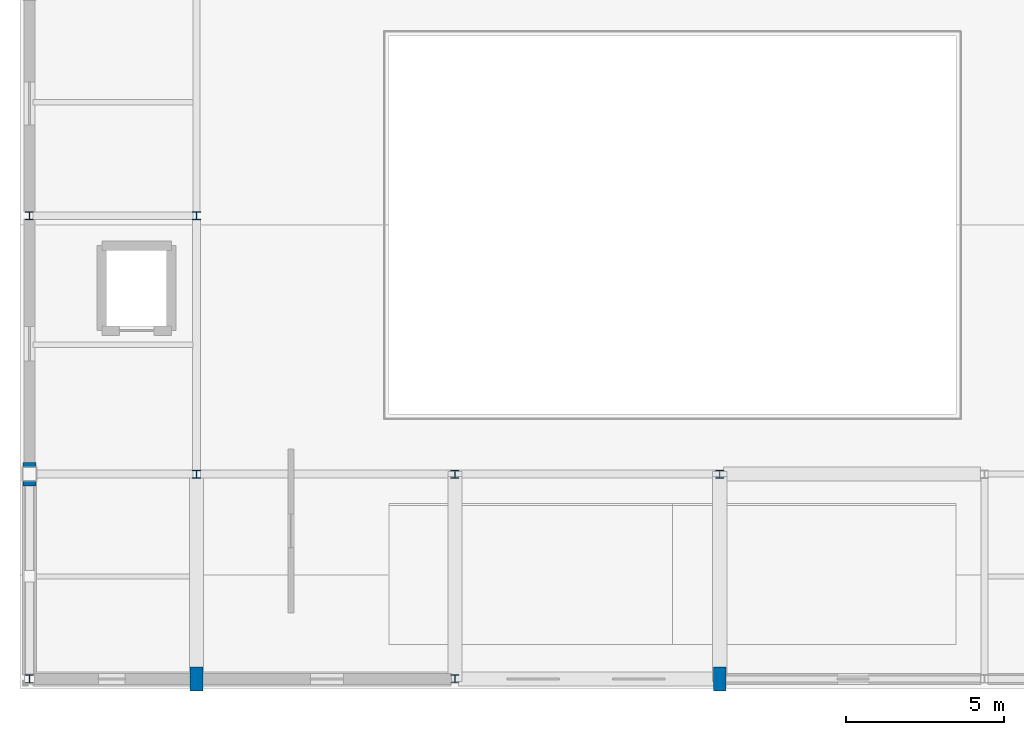
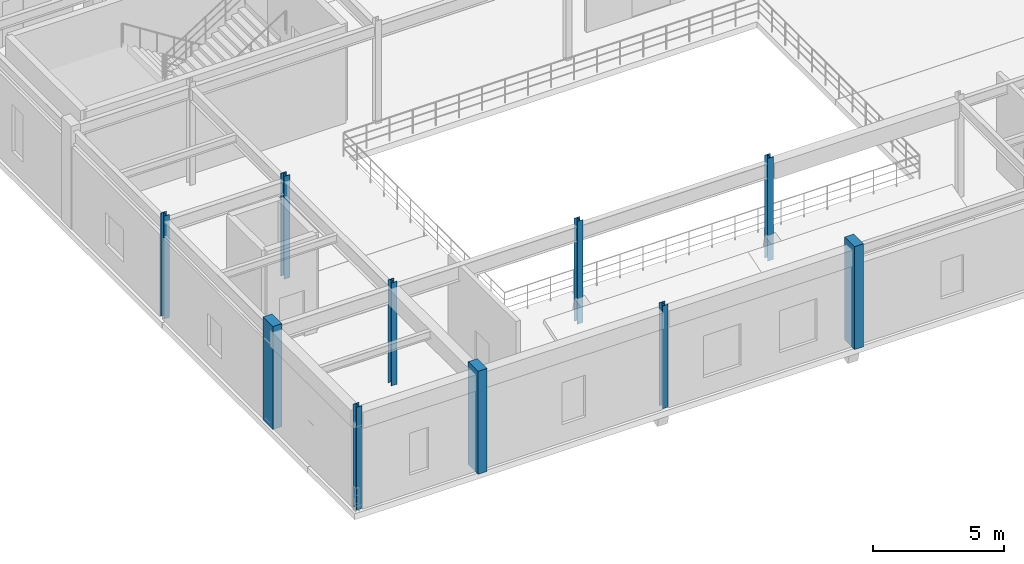
# One storey, part 1 of 144: 10 columns.
"""IFC4 building model written with IfcOpenShell, lengths in metres."""

from ifc_helpers import new_model, si_unit, direction, frame, origin, origin_2d, place, context, subcontext, project, spatial, rectangle, i_section, extrude, material, material_profile, profile_set, type_object, element, save


model = new_model("IFC4")

# Units and contexts
model_context = context("Model", 3, precision=1e-05, world=origin(), true_north=direction((0.0, 1.0)))
body_context = subcontext(model_context, "Body", "Model", "MODEL_VIEW")
ifc_project = project(units=[si_unit("LENGTHUNIT", "METRE"), si_unit("AREAUNIT", "SQUARE_METRE"), si_unit("VOLUMEUNIT", "CUBIC_METRE"), si_unit("PLANEANGLEUNIT", "RADIAN"), si_unit("MASSUNIT", "GRAM", prefix="KILO")], contexts=[model_context])

# Site, building, storey
site_placement = place(None, origin())
site = spatial("IfcSite", under=ifc_project, at=site_placement, CompositionType="ELEMENT")
building_placement = place(site_placement, origin())
building = spatial("IfcBuilding", under=site, at=building_placement, Name="Cinderbank Siding Concert Hall", CompositionType="ELEMENT")
storey_placement = place(building_placement, frame((0.0, 0.0, 5.39990234375)))
storey = spatial("IfcBuildingStorey", under=building, at=storey_placement, Name="L02", CompositionType="ELEMENT", Elevation=5.39990234375)

# Columns
ifc_material_1 = material(Name="Structural steel AS/NZS 3679.1 Grade 350 (340 MPa)", Category="steel")
ifc_material_profile_1 = material_profile(ifc_material_1, i_section(OverallWidth=0.25390625, OverallDepth=0.25390625, WebThickness=0.008544921875, FlangeThickness=0.01416015625, at=origin_2d()), Name="250UC72.9", Category="LoadBearing")
ifc_profile_set_1 = profile_set([ifc_material_profile_1], Name="Structural steel AS/NZS 3679.1 Grade 350 (340 MPa)")
column_type_1 = type_object("IfcColumnType", Name="C-UC250 250UC72.9", PredefinedType="COLUMN", material=ifc_profile_set_1)
for number, where, z_axis, x_axis, name in (
    (1, (7.10009765625, 6.10009765625, 0.0), (0.0, 0.0, 1.0), (1.0, 0.0, 0.0), "L02 Column COL-V2-1-1"),
    (2, (7.10009765625, 20.800048828125, 0.0), (0.0, 0.0, 1.0), (1.0, 0.0, 0.0), "L02 Column COL-V2-1-3"),
    (3, (12.39990234375, 12.60009765625, 0.0), (0.0, 0.0, 1.0), (1.0, 0.0, 0.0), "L02 Column COL-V2-2-2"),
    (4, (12.39990234375, 20.800048828125, 0.0), (0.0, 0.0, 1.0), (1.0, 0.0, 0.0), "L02 Column COL-V2-2-3"),
    (5, (20.60009765625, 6.10009765625, 0.0), (0.0, 0.0, 1.0), (1.0, 0.0, 0.0), "L02 Column COL-V2-3-1"),
    (6, (20.60009765625, 12.60009765625, 0.0), (0.0, 0.0, 1.0), (1.0, 0.0, 0.0), "L02 Column COL-V2-3-2"),
    (7, (29.0, 12.60009765625, 0.0), (0.0, 0.0, 1.0), (1.0, 0.0, 0.0), "L02 Column COL-V2-4-2"),
):
    element("IfcColumn", number, at=place(storey_placement, frame(where, z_axis=z_axis, x_axis=x_axis)), inside=storey, type_object=column_type_1, Name=name, PredefinedType="COLUMN", context=body_context, shape_type="SweptSolid", body=[
        extrude(i_section(OverallWidth=0.25390625, OverallDepth=0.25390625, WebThickness=0.008544921875, FlangeThickness=0.01416015625, at=origin_2d()), origin(), (0.0, 0.0, 1.0), 4.800048828125),
    ])
ifc_material_2 = material(Name="Reinforced concrete AS 3600 N50 (50 MPa)", Category="concrete")
ifc_material_profile_2 = material_profile(ifc_material_2, rectangle(XDim=0.39990234375, YDim=0.75, at=origin_2d()), Name="RC-PIER-400x750", Category="LoadBearing")
ifc_profile_set_2 = profile_set([ifc_material_profile_2], Name="Reinforced concrete AS 3600 N50 (50 MPa)")
column_type_2 = type_object("IfcColumnType", Name="PL-RC750 RC-PIER-400x750", PredefinedType="PILASTER", material=ifc_profile_set_2)
for number, where, z_axis, x_axis, name in (
    (8, (7.10009765625, 12.60009765625, 0.0), (0.0, 0.0, 1.0), (1.0, 0.0, 0.0), "L02 Column COL-V2-1-2"),
    (9, (12.39990234375, 6.10009765625, 0.0), (0.0, 0.0, 1.0), (1.0, 0.0, 0.0), "L02 Column COL-V2-2-1"),
    (10, (29.0, 6.10009765625, 0.0), (0.0, 0.0, 1.0), (1.0, 0.0, 0.0), "L02 Column COL-V2-4-1"),
):
    element("IfcColumn", number, at=place(storey_placement, frame(where, z_axis=z_axis, x_axis=x_axis)), inside=storey, type_object=column_type_2, Name=name, PredefinedType="PILASTER", context=body_context, shape_type="SweptSolid", body=[
        extrude(rectangle(XDim=0.39990234375, YDim=0.75, at=origin_2d()), origin(), (0.0, 0.0, 1.0), 4.800048828125),
    ])

save(model, "model.ifc")
